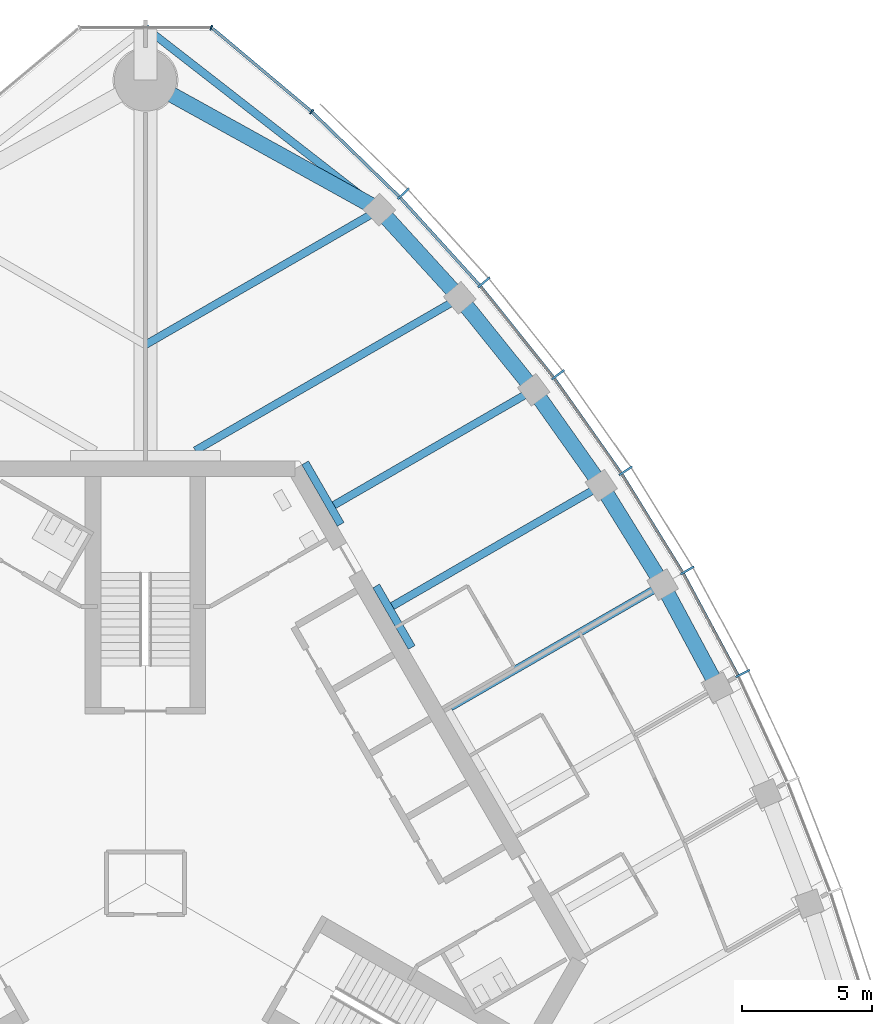
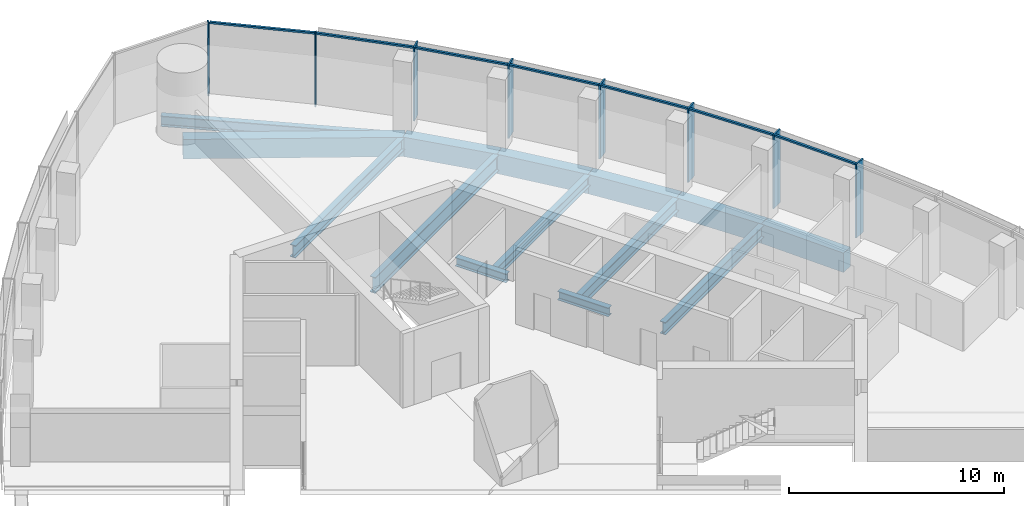
# One storey, part 6 of 16: 15 members, 14 beams, 2 elements without a shape of their own.
"""IFC4 building model written with IfcOpenShell, lengths in metres."""

from ifc_helpers import new_model, si_unit, direction, frame, origin, origin_2d, place, context, subcontext, project, spatial, rectangle, i_section, extrude, material, material_profile, profile_set, type_object, element, aggregate, save


model = new_model("IFC4")

# Units and contexts
model_context = context("Model", 3, precision=1e-05, world=origin(), true_north=direction((0.0, 1.0)))
body_context = subcontext(model_context, "Body", "Model", "MODEL_VIEW")
ifc_project = project(units=[si_unit("LENGTHUNIT", "METRE"), si_unit("AREAUNIT", "SQUARE_METRE"), si_unit("VOLUMEUNIT", "CUBIC_METRE"), si_unit("PLANEANGLEUNIT", "RADIAN"), si_unit("MASSUNIT", "GRAM", prefix="KILO")], contexts=[model_context])

# Site, building, storey
site_placement = place(None, origin())
site = spatial("IfcSite", under=ifc_project, at=site_placement, CompositionType="ELEMENT")
building_placement = place(site_placement, origin())
building = spatial("IfcBuilding", under=site, at=building_placement, Name="Trefoil Bronze Tower", CompositionType="ELEMENT")
storey_placement = place(building_placement, frame((0.0, 0.0, 318.300048828125)))
storey = spatial("IfcBuildingStorey", under=building, at=storey_placement, Name="L73", CompositionType="ELEMENT", Elevation=318.300048828125)

# Curtain wall, members
ifc_material_1 = material(Name="Tinted solar-control glass", Category="glass")
curtain_wall_type_1 = type_object("IfcCurtainWallType", Name="Bronze office curtain wall", PredefinedType="USERDEFINED", material=ifc_material_1)
curtain_wall_1_placement = place(storey_placement, origin())
curtain_wall_1 = element("IfcCurtainWall", 1, at=curtain_wall_1_placement, inside=storey, type_object=curtain_wall_type_1, Name="CW-A L73 F2", ObjectType="CURTAIN WALL", PredefinedType="USERDEFINED")
ifc_material_2 = material(Name="Bronze-finish aluminium", Category="aluminium")
ifc_material_profile_1 = material_profile(ifc_material_2, rectangle(XDim=0.60009765625, YDim=0.080078125, at=origin_2d()), Name="CW-A mullion")
ifc_profile_set_1 = profile_set([ifc_material_profile_1], Name="Bronze-finish aluminium")
member_type_1 = type_object("IfcMemberType", Name="Bronze office curtain wall mullion", PredefinedType="MULLION", material=ifc_profile_set_1)
member_1_placement = place(storey_placement, frame((23.056396484375, 8.094482421875, 0.0), z_axis=(0.0, 0.0, 1.0), x_axis=(-0.894713198289, -0.44664112306, 0.0)))
member_1 = element("IfcMember", 2, at=member_1_placement, type_object=member_type_1, Name="CW-A L73 F2 mullion 5", PredefinedType="MULLION", context=body_context, shape_type="SweptSolid", body=[
    extrude(rectangle(XDim=0.60009765625, YDim=0.080078125, at=origin_2d()), origin(), (0.0, 0.0, 1.0), 4.179931640625),
])
member_2_placement = place(storey_placement, frame((20.916015625, 12.07568359375, 0.0), z_axis=(0.0, 0.0, 1.0), x_axis=(-0.866025403784, -0.5, 0.0)))
member_2 = element("IfcMember", 3, at=member_2_placement, type_object=member_type_1, Name="CW-A L73 F2 mullion 6", PredefinedType="MULLION", context=body_context, shape_type="SweptSolid", body=[
    extrude(rectangle(XDim=0.60009765625, YDim=0.080078125, at=origin_2d()), origin(), (0.0, 0.0, 1.0), 4.179931640625),
])
member_3_placement = place(storey_placement, frame((18.538330078125, 15.920166015625, 0.0), z_axis=(0.0, 0.0, 1.0), x_axis=(-0.834159158089, -0.551523797289, 0.0)))
member_3 = element("IfcMember", 4, at=member_3_placement, type_object=member_type_1, Name="CW-A L73 F2 mullion 7", PredefinedType="MULLION", context=body_context, shape_type="SweptSolid", body=[
    extrude(rectangle(XDim=0.60009765625, YDim=0.080078125, at=origin_2d()), origin(), (0.0, 0.0, 1.0), 4.179931640625),
])
member_4_placement = place(storey_placement, frame((15.922607421875, 19.627197265625, 0.0), z_axis=(0.0, 0.0, 1.0), x_axis=(-0.799096076136, -0.601203344222, 0.0)))
member_4 = element("IfcMember", 5, at=member_4_placement, type_object=member_type_1, Name="CW-A L73 F2 mullion 8", PredefinedType="MULLION", context=body_context, shape_type="SweptSolid", body=[
    extrude(rectangle(XDim=0.60009765625, YDim=0.080078125, at=origin_2d()), origin(), (0.0, 0.0, 1.0), 4.179931640625),
])
member_5_placement = place(storey_placement, frame((13.064453125, 23.194091796875, 0.0), z_axis=(0.0, 0.0, 1.0), x_axis=(-0.760781190165, -0.649008459646, 0.0)))
member_5 = element("IfcMember", 6, at=member_5_placement, type_object=member_type_1, Name="CW-A L73 F2 mullion 9", PredefinedType="MULLION", context=body_context, shape_type="SweptSolid", body=[
    extrude(rectangle(XDim=0.60009765625, YDim=0.080078125, at=origin_2d()), origin(), (0.0, 0.0, 1.0), 4.179931640625),
])
member_6_placement = place(storey_placement, frame((9.957275390625, 26.617431640625, 0.0), z_axis=(0.0, 0.0, 1.0), x_axis=(-0.719001349715, -0.695008675564, 0.0)))
member_6 = element("IfcMember", 7, at=member_6_placement, type_object=member_type_1, Name="CW-A L73 F2 mullion 10", PredefinedType="MULLION", context=body_context, shape_type="SweptSolid", body=[
    extrude(rectangle(XDim=0.60009765625, YDim=0.080078125, at=origin_2d()), origin(), (0.0, 0.0, 1.0), 4.179931640625),
])
ifc_material_3 = material(Name="Bronze-finish aluminium", Category="aluminium")
ifc_material_profile_2 = material_profile(ifc_material_3, rectangle(XDim=0.1201171875, YDim=0.10009765625, at=origin_2d()), Name="CW-A transom")
ifc_profile_set_2 = profile_set([ifc_material_profile_2], Name="Bronze-finish aluminium")
member_type_2 = type_object("IfcMemberType", Name="Bronze office curtain wall transom", PredefinedType="USERDEFINED", material=ifc_profile_set_2)
member_7_placement = place(storey_placement, frame((22.857177734375, 8.043212890625, 4.1298828125), z_axis=(-0.473540024981, 0.880772300167, 0.0), x_axis=(-0.880772300167, -0.473540024981, 0.0)))
member_7 = element("IfcMember", 8, at=member_7_placement, type_object=member_type_2, Name="CW-A L73 F2 transom 5", ObjectType="TRANSOM", PredefinedType="USERDEFINED", context=body_context, shape_type="SweptSolid", body=[
    extrude(rectangle(XDim=0.1201171875, YDim=0.10009765625, at=origin_2d()), origin(), (0.0, 0.0, 1.0), 4.422119140625),
])
member_8_placement = place(storey_placement, frame((20.72021484375, 12.012451171875, 4.1298828125), z_axis=(-0.525978235299, 0.850498028212, 0.0), x_axis=(-0.850498028212, -0.525978235299, 0.0)))
member_8 = element("IfcMember", 9, at=member_8_placement, type_object=member_type_2, Name="CW-A L73 F2 transom 6", ObjectType="TRANSOM", PredefinedType="USERDEFINED", context=body_context, shape_type="SweptSolid", body=[
    extrude(rectangle(XDim=0.1201171875, YDim=0.10009765625, at=origin_2d()), origin(), (0.0, 0.0, 1.0), 4.422119140625),
])
member_9_placement = place(storey_placement, frame((18.3466796875, 15.84521484375, 4.1298828125), z_axis=(-0.5765665752, 0.817050172488, 0.0), x_axis=(-0.817050172488, -0.5765665752, 0.0)))
member_9 = element("IfcMember", 10, at=member_9_placement, type_object=member_type_2, Name="CW-A L73 F2 transom 7", ObjectType="TRANSOM", PredefinedType="USERDEFINED", context=body_context, shape_type="SweptSolid", body=[
    extrude(rectangle(XDim=0.1201171875, YDim=0.10009765625, at=origin_2d()), origin(), (0.0, 0.0, 1.0), 4.4384765625),
])
member_10_placement = place(storey_placement, frame((15.73583984375, 19.54052734375, 4.1298828125), z_axis=(-0.625300648488, 0.780383943325, 0.0), x_axis=(-0.780383943325, -0.625300648488, 0.0)))
member_10 = element("IfcMember", 11, at=member_10_placement, type_object=member_type_2, Name="CW-A L73 F2 transom 8", ObjectType="TRANSOM", PredefinedType="USERDEFINED", context=body_context, shape_type="SweptSolid", body=[
    extrude(rectangle(XDim=0.1201171875, YDim=0.10009765625, at=origin_2d()), origin(), (0.0, 0.0, 1.0), 4.472412109375),
])
member_11_placement = place(storey_placement, frame((12.88330078125, 23.09619140625, 4.1298828125), z_axis=(-0.672068269674, 0.740489190264, 0.0), x_axis=(-0.740489190264, -0.672068269674, 0.0)))
member_11 = element("IfcMember", 12, at=member_11_placement, type_object=member_type_2, Name="CW-A L73 F2 transom 9", ObjectType="TRANSOM", PredefinedType="USERDEFINED", context=body_context, shape_type="SweptSolid", body=[
    extrude(rectangle(XDim=0.1201171875, YDim=0.10009765625, at=origin_2d()), origin(), (0.0, 0.0, 1.0), 4.5244140625),
])
member_12_placement = place(storey_placement, frame((9.782470703125, 26.508544921875, 4.1298828125), z_axis=(-0.717224617883, 0.696842053484, 0.0), x_axis=(-0.696842053484, -0.717224617883, 0.0)))
member_12 = element("IfcMember", 13, at=member_12_placement, type_object=member_type_2, Name="CW-A L73 F2 transom 10", ObjectType="TRANSOM", PredefinedType="USERDEFINED", context=body_context, shape_type="SweptSolid", body=[
    extrude(rectangle(XDim=0.1201171875, YDim=0.10009765625, at=origin_2d()), origin(), (0.0, 0.0, 1.0), 4.6474609375),
])
aggregate(curtain_wall_1, [member_1, member_2, member_3, member_4, member_5, member_6, member_7, member_8, member_9, member_10, member_11, member_12])

ifc_material_4 = material(Name="Tinted solar-control glass", Category="glass")
curtain_wall_type_2 = type_object("IfcCurtainWallType", Name="Bronze rounded corner curtain wall", PredefinedType="USERDEFINED", material=ifc_material_4)
curtain_wall_2_placement = place(storey_placement, origin())
curtain_wall_2 = element("IfcCurtainWall", 14, at=curtain_wall_2_placement, inside=storey, type_object=curtain_wall_type_2, Name="CW-B L73 K2", ObjectType="CURTAIN WALL", PredefinedType="USERDEFINED")
ifc_material_5 = material(Name="Bronze-finish aluminium", Category="aluminium")
ifc_material_profile_3 = material_profile(ifc_material_5, rectangle(XDim=0.199951171875, YDim=0.06005859375, at=origin_2d()), Name="CW-B mullion")
ifc_profile_set_3 = profile_set([ifc_material_profile_3], Name="Bronze-finish aluminium")
member_type_3 = type_object("IfcMemberType", Name="Bronze rounded corner curtain wall mullion", PredefinedType="MULLION", material=ifc_profile_set_3)
member_13_placement = place(storey_placement, frame((6.4150390625, 29.77978515625, 0.0), z_axis=(0.0, 0.0, 1.0), x_axis=(-0.642787609687, -0.766044443119, 0.0)))
member_13 = element("IfcMember", 15, at=member_13_placement, type_object=member_type_3, Name="CW-B L73 K2 mullion 1", PredefinedType="MULLION", context=body_context, shape_type="SweptSolid", body=[
    extrude(rectangle(XDim=0.199951171875, YDim=0.06005859375, at=origin_2d()), origin(), (0.0, 0.0, 1.0), 4.179931640625),
])
member_14_placement = place(storey_placement, frame((2.542236328125, 33.021484375, 0.0), z_axis=(0.0, 0.0, 1.0), x_axis=(-0.342020143326, -0.939692620786, 0.0)))
member_14 = element("IfcMember", 16, at=member_14_placement, type_object=member_type_3, Name="CW-B L73 K2 mullion 2", PredefinedType="MULLION", context=body_context, shape_type="SweptSolid", body=[
    extrude(rectangle(XDim=0.199951171875, YDim=0.06005859375, at=origin_2d()), origin(), (0.0, 0.0, 1.0), 4.179931640625),
])
ifc_material_6 = material(Name="Bronze-finish aluminium", Category="aluminium")
ifc_material_profile_4 = material_profile(ifc_material_6, rectangle(XDim=0.1201171875, YDim=0.10009765625, at=origin_2d()), Name="CW-B transom")
ifc_profile_set_4 = profile_set([ifc_material_profile_4], Name="Bronze-finish aluminium")
member_type_4 = type_object("IfcMemberType", Name="Bronze rounded corner curtain wall transom", PredefinedType="USERDEFINED", material=ifc_profile_set_4)
member_15_placement = place(storey_placement, frame((6.39208984375, 29.799072265625, 4.1298828125), z_axis=(-0.766040522511, 0.642792282056, 0.0), x_axis=(-0.642792282056, -0.766040522511, 0.0)))
member_15 = element("IfcMember", 17, at=member_15_placement, type_object=member_type_4, Name="CW-B L73 K2 transom 1", ObjectType="TRANSOM", PredefinedType="USERDEFINED", context=body_context, shape_type="SweptSolid", body=[
    extrude(rectangle(XDim=0.1201171875, YDim=0.10009765625, at=origin_2d()), origin(), (0.0, 0.0, 1.0), 4.9560546875),
])
aggregate(curtain_wall_2, [member_13, member_14, member_15])

# Beams
ifc_material_7 = material(Name="Steel C355", Category="steel")
ifc_material_profile_5 = material_profile(ifc_material_7, i_section(OverallWidth=0.300048828125, OverallDepth=0.5, WebThickness=0.014404296875, FlangeThickness=0.028076171875, FilletRadius=0.027099609375, at=origin_2d()), Name="HEB 500")
ifc_profile_set_5 = profile_set([ifc_material_profile_5], Name="Steel C355")
beam_type_1 = type_object("IfcBeamType", Name="Core seat beam HEB 500", PredefinedType="BEAM", material=ifc_profile_set_5)
for number, where, z_axis, x_axis, name in (
    (18, (10.27685546875, 9.10009765625, -0.449951171875), (-0.500035825175, 0.866004719122, 0.0), (-0.866004719122, -0.500035825175, 0.0), "Core seat beam F2/+1 L73"),
    (19, (7.534423828125, 13.85009765625, -0.449951171875), (-0.499969057507, 0.866043267704, 0.0), (-0.866043267704, -0.499969057507, 0.0), "Core seat beam F2/+2 L73"),
):
    element("IfcBeam", number, at=place(storey_placement, frame(where, z_axis=z_axis, x_axis=x_axis)), inside=storey, type_object=beam_type_1, Name=name, PredefinedType="BEAM", context=body_context, shape_type="SweptSolid", body=[
        extrude(i_section(OverallWidth=0.300048828125, OverallDepth=0.5, WebThickness=0.014404296875, FlangeThickness=0.028076171875, FilletRadius=0.027099609375, at=origin_2d()), origin(), (0.0, 0.0, 1.0), 2.742431640625),
    ])
ifc_material_8 = material(Name="Steel C355", Category="steel")
ifc_material_profile_6 = material_profile(ifc_material_8, i_section(OverallWidth=0.300048828125, OverallDepth=0.60009765625, WebThickness=0.015380859375, FlangeThickness=0.030029296875, FilletRadius=0.027099609375, at=origin_2d()), Name="HEB 600")
ifc_profile_set_6 = profile_set([ifc_material_profile_6], Name="Steel C355")
beam_type_2 = type_object("IfcBeamType", Name="Corner edge beam HEB 600", PredefinedType="BEAM", material=ifc_profile_set_6)
beam_1_placement = place(storey_placement, frame((9.02734375, 25.99658203125, -0.5), z_axis=(-0.789270604977, 0.614045529354, 0.0), x_axis=(-0.614045529354, -0.789270604977, 0.0)))
element("IfcBeam", 20, at=beam_1_placement, inside=storey, type_object=beam_type_2, Name="Corner edge beam F2A L73", PredefinedType="BEAM", context=body_context, shape_type="SweptSolid", body=[
    extrude(i_section(OverallWidth=0.300048828125, OverallDepth=0.60009765625, WebThickness=0.015380859375, FlangeThickness=0.030029296875, FilletRadius=0.027099609375, at=origin_2d()), origin(), (0.0, 0.0, 1.0), 11.4375),
])
ifc_material_9 = material(Name="Concrete B80", Category="concrete")
ifc_material_profile_7 = material_profile(ifc_material_9, rectangle(XDim=0.60009765625, YDim=1.10009765625, at=origin_2d()), Name="RC 600x1100")
ifc_profile_set_7 = profile_set([ifc_material_profile_7], Name="Concrete B80")
beam_type_3 = type_object("IfcBeamType", Name="End spandrel beam RC 600x1100", PredefinedType="SPANDREL", material=ifc_profile_set_7)
beam_2_placement = place(storey_placement, frame((9.02734375, 25.99658203125, -0.75), z_axis=(-0.874641085074, 0.484771051426, 0.0), x_axis=(-0.484771051426, -0.874641085074, 0.0)))
element("IfcBeam", 21, at=beam_2_placement, inside=storey, type_object=beam_type_3, Name="Spandrel F2.10 L73", PredefinedType="SPANDREL", context=body_context, shape_type="SweptSolid", body=[
    extrude(rectangle(XDim=0.60009765625, YDim=1.10009765625, at=origin_2d()), origin(), (0.0, 0.0, 1.0), 10.3212890625),
])
ifc_material_10 = material(Name="Steel C355", Category="steel")
ifc_material_profile_8 = material_profile(ifc_material_10, i_section(OverallWidth=0.300048828125, OverallDepth=0.60009765625, WebThickness=0.015380859375, FlangeThickness=0.030029296875, FilletRadius=0.027099609375, at=origin_2d()), Name="HEB 600")
ifc_profile_set_8 = profile_set([ifc_material_profile_8], Name="Steel C355")
beam_type_4 = type_object("IfcBeamType", Name="Floor beam HEB 600", PredefinedType="BEAM", material=ifc_profile_set_8)
beam_3_placement = place(storey_placement, frame((14.98486328125, 19.043701171875, -0.5), z_axis=(-0.866034827411, -0.499983677445, 0.0), x_axis=(0.499983677445, -0.866034827411, 0.0)))
element("IfcBeam", 22, at=beam_3_placement, inside=storey, type_object=beam_type_4, Name="Floor beam F2/+2 L73", PredefinedType="BEAM", context=body_context, shape_type="SweptSolid", body=[
    extrude(i_section(OverallWidth=0.300048828125, OverallDepth=0.60009765625, WebThickness=0.015380859375, FlangeThickness=0.030029296875, FilletRadius=0.027099609375, at=origin_2d()), origin(), (0.0, 0.0, 1.0), 8.899169921875),
])
ifc_material_11 = material(Name="Steel C355", Category="steel")
ifc_material_profile_9 = material_profile(ifc_material_11, i_section(OverallWidth=0.300048828125, OverallDepth=0.699951171875, WebThickness=0.01708984375, FlangeThickness=0.031982421875, FilletRadius=0.027099609375, at=origin_2d()), Name="HEB 700")
ifc_profile_set_9 = profile_set([ifc_material_profile_9], Name="Steel C355")
beam_type_5 = type_object("IfcBeamType", Name="Floor beam HEB 700", PredefinedType="BEAM", material=ifc_profile_set_9)
beam_4_placement = place(storey_placement, frame((19.96337890625, 11.52587890625, -0.550048828125), z_axis=(-0.866029875693, -0.499992254348, 0.0), x_axis=(0.499992254348, -0.866029875693, 0.0)))
element("IfcBeam", 23, at=beam_4_placement, inside=storey, type_object=beam_type_5, Name="Floor beam F2/+0 L73", PredefinedType="BEAM", context=body_context, shape_type="SweptSolid", body=[
    extrude(i_section(OverallWidth=0.300048828125, OverallDepth=0.699951171875, WebThickness=0.01708984375, FlangeThickness=0.031982421875, FilletRadius=0.027099609375, at=origin_2d()), origin(), (0.0, 0.0, 1.0), 9.451904296875),
])
beam_5_placement = place(storey_placement, frame((17.593994140625, 15.35400390625, -0.550048828125), z_axis=(-0.866026261222, -0.499998514871, 0.0), x_axis=(0.499998514871, -0.866026261222, 0.0)))
element("IfcBeam", 24, at=beam_5_placement, inside=storey, type_object=beam_type_5, Name="Floor beam F2/+1 L73", PredefinedType="BEAM", context=body_context, shape_type="SweptSolid", body=[
    extrude(i_section(OverallWidth=0.300048828125, OverallDepth=0.699951171875, WebThickness=0.01708984375, FlangeThickness=0.031982421875, FilletRadius=0.027099609375, at=origin_2d()), origin(), (0.0, 0.0, 1.0), 9.31396484375),
])
beam_6_placement = place(storey_placement, frame((9.02734375, 25.99658203125, -0.550048828125), z_axis=(-0.866026453994, -0.499998180979, 0.0), x_axis=(0.499998180979, -0.866026453994, 0.0)))
element("IfcBeam", 25, at=beam_6_placement, inside=storey, type_object=beam_type_5, Name="Floor beam F2/+4 L73", PredefinedType="BEAM", context=body_context, shape_type="SweptSolid", body=[
    extrude(i_section(OverallWidth=0.300048828125, OverallDepth=0.699951171875, WebThickness=0.01708984375, FlangeThickness=0.031982421875, FilletRadius=0.027099609375, at=origin_2d()), origin(), (0.0, 0.0, 1.0), 10.423828125),
])
ifc_material_12 = material(Name="Steel C355", Category="steel")
ifc_material_profile_10 = material_profile(ifc_material_12, i_section(OverallWidth=0.300048828125, OverallDepth=0.89990234375, WebThickness=0.0185546875, FlangeThickness=0.034912109375, FilletRadius=0.030029296875, at=origin_2d()), Name="HEB 900")
ifc_profile_set_10 = profile_set([ifc_material_profile_10], Name="Steel C355")
beam_type_6 = type_object("IfcBeamType", Name="Floor beam HEB 900", PredefinedType="BEAM", material=ifc_profile_set_10)
beam_7_placement = place(storey_placement, frame((12.131591796875, 22.5927734375, -0.650146484375), z_axis=(-0.866017581749, -0.500013547917, 0.0), x_axis=(0.500013547917, -0.866017581749, 0.0)))
element("IfcBeam", 26, at=beam_7_placement, inside=storey, type_object=beam_type_6, Name="Floor beam F2/+3 L73", PredefinedType="BEAM", context=body_context, shape_type="SweptSolid", body=[
    extrude(i_section(OverallWidth=0.300048828125, OverallDepth=0.89990234375, WebThickness=0.0185546875, FlangeThickness=0.034912109375, FilletRadius=0.030029296875, at=origin_2d()), origin(), (0.0, 0.0, 1.0), 11.785400390625),
])
ifc_material_13 = material(Name="Concrete B80", Category="concrete")
ifc_material_profile_11 = material_profile(ifc_material_13, rectangle(XDim=0.60009765625, YDim=1.10009765625, at=origin_2d()), Name="RC 600x1100")
ifc_profile_set_11 = profile_set([ifc_material_profile_11], Name="Concrete B80")
beam_type_7 = type_object("IfcBeamType", Name="Spandrel beam RC 600x1100", PredefinedType="SPANDREL", material=ifc_profile_set_11)
beam_8_placement = place(storey_placement, frame((22.093994140625, 7.559814453125, -0.75), z_axis=(-0.473245885676, 0.880930378458, 0.0), x_axis=(-0.880930378458, -0.473245885676, 0.0)))
element("IfcBeam", 27, at=beam_8_placement, inside=storey, type_object=beam_type_7, Name="Spandrel F2.5 L73", PredefinedType="SPANDREL", context=body_context, shape_type="SweptSolid", body=[
    extrude(rectangle(XDim=0.60009765625, YDim=1.10009765625, at=origin_2d()), origin(), (0.0, 0.0, 1.0), 4.502197265625),
])
beam_9_placement = place(storey_placement, frame((19.96337890625, 11.52587890625, -0.75), z_axis=(-0.526289271956, 0.850305593433, 0.0), x_axis=(-0.850305593433, -0.526289271956, 0.0)))
element("IfcBeam", 28, at=beam_9_placement, inside=storey, type_object=beam_type_7, Name="Spandrel F2.6 L73", PredefinedType="SPANDREL", context=body_context, shape_type="SweptSolid", body=[
    extrude(rectangle(XDim=0.60009765625, YDim=1.10009765625, at=origin_2d()), origin(), (0.0, 0.0, 1.0), 4.501953125),
])
beam_10_placement = place(storey_placement, frame((17.593994140625, 15.35400390625, -0.75), z_axis=(-0.577368105169, 0.816483968693, 0.0), x_axis=(-0.816483968693, -0.577368105169, 0.0)))
element("IfcBeam", 29, at=beam_10_placement, inside=storey, type_object=beam_type_7, Name="Spandrel F2.7 L73", PredefinedType="SPANDREL", context=body_context, shape_type="SweptSolid", body=[
    extrude(rectangle(XDim=0.60009765625, YDim=1.10009765625, at=origin_2d()), origin(), (0.0, 0.0, 1.0), 4.51904296875),
])
beam_11_placement = place(storey_placement, frame((14.98486328125, 19.043701171875, -0.75), z_axis=(-0.626569682592, 0.779365403939, 0.0), x_axis=(-0.779365403939, -0.626569682592, 0.0)))
element("IfcBeam", 30, at=beam_11_placement, inside=storey, type_object=beam_type_7, Name="Spandrel F2.8 L73", PredefinedType="SPANDREL", context=body_context, shape_type="SweptSolid", body=[
    extrude(rectangle(XDim=0.60009765625, YDim=1.10009765625, at=origin_2d()), origin(), (0.0, 0.0, 1.0), 4.5537109375),
])
beam_12_placement = place(storey_placement, frame((12.131591796875, 22.5927734375, -0.75), z_axis=(-0.673845775847, 0.738872025707, 0.0), x_axis=(-0.738872025707, -0.673845775847, 0.0)))
element("IfcBeam", 31, at=beam_12_placement, inside=storey, type_object=beam_type_7, Name="Spandrel F2.9 L73", PredefinedType="SPANDREL", context=body_context, shape_type="SweptSolid", body=[
    extrude(rectangle(XDim=0.60009765625, YDim=1.10009765625, at=origin_2d()), origin(), (0.0, 0.0, 1.0), 4.606689453125),
])

save(model, "model.ifc")
